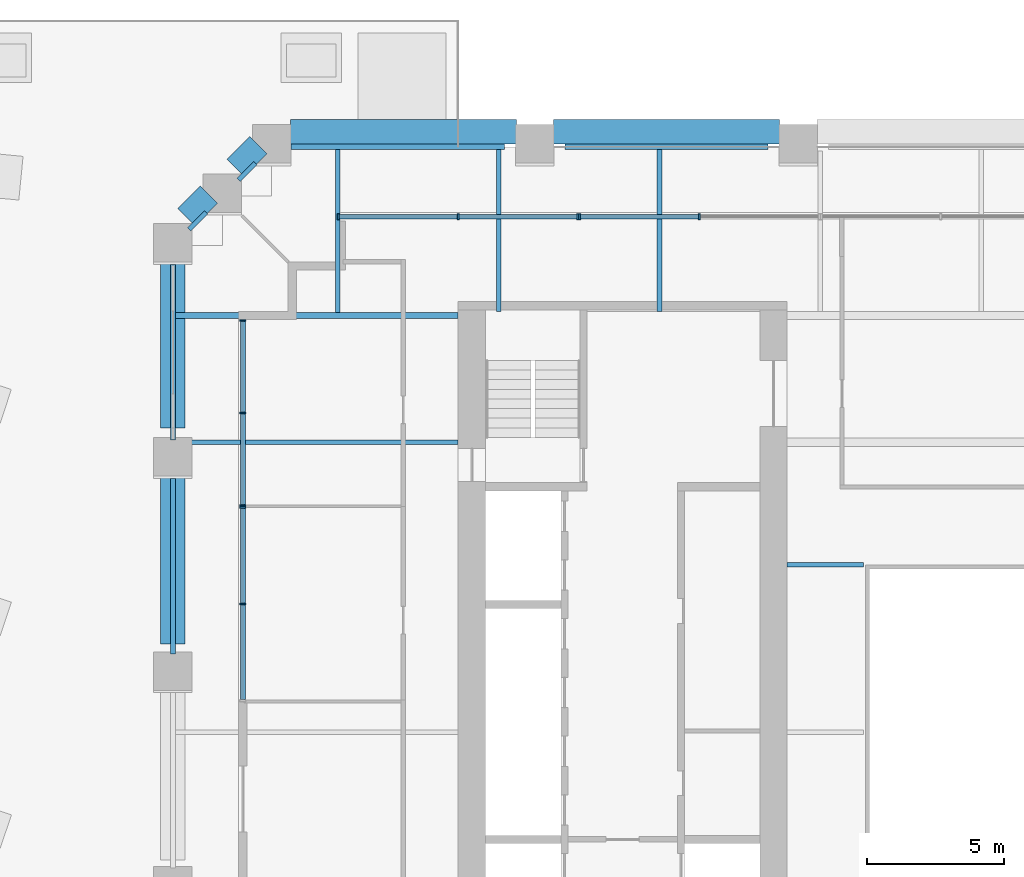
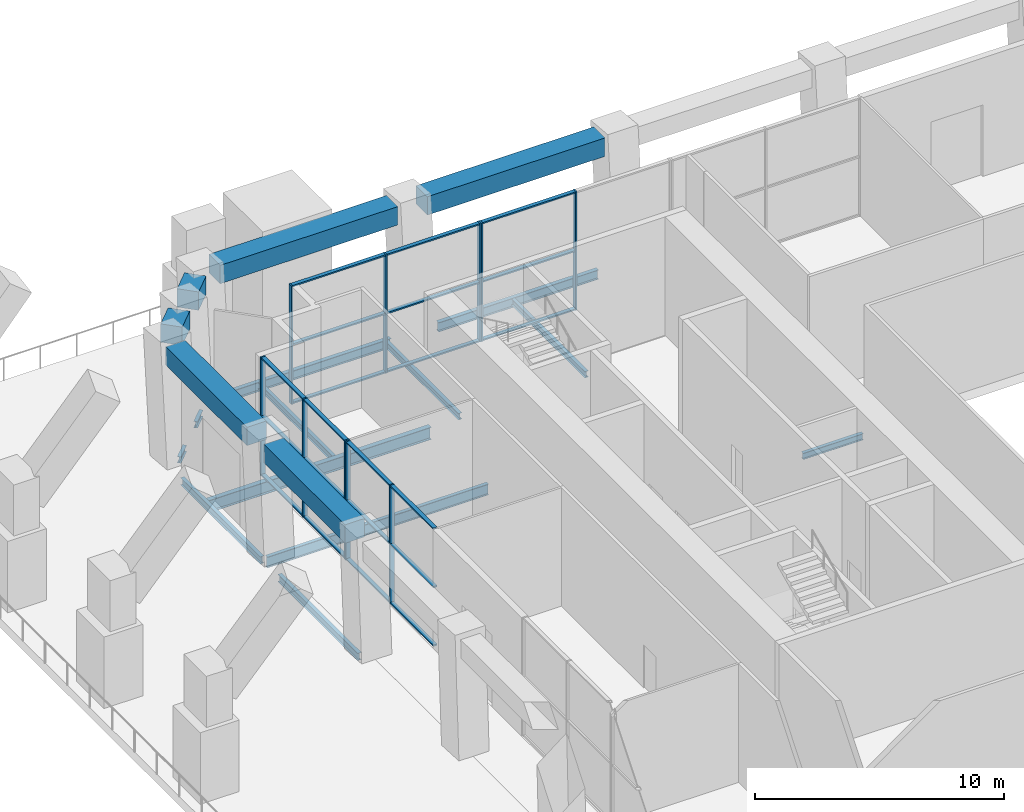
# One storey, part 7 of 20: 31 members, 18 beams, 4 elements without a shape of their own.
"""IFC4 building model written with IfcOpenShell, lengths in metres."""

from ifc_helpers import new_model, si_unit, direction, frame, origin, origin_2d, place, context, subcontext, project, spatial, rectangle, i_section, extrude, material, material_profile, profile_set, type_object, element, aggregate, save


model = new_model("IFC4")

# Units and contexts
model_context = context("Model", 3, precision=1e-05, world=origin(), true_north=direction((0.0, 1.0)))
body_context = subcontext(model_context, "Body", "Model", "MODEL_VIEW")
ifc_project = project(units=[si_unit("LENGTHUNIT", "METRE"), si_unit("AREAUNIT", "SQUARE_METRE"), si_unit("VOLUMEUNIT", "CUBIC_METRE"), si_unit("PLANEANGLEUNIT", "RADIAN"), si_unit("MASSUNIT", "GRAM", prefix="KILO")], contexts=[model_context])

# Site, building, storey
site_placement = place(None, origin())
site = spatial("IfcSite", under=ifc_project, at=site_placement, CompositionType="ELEMENT")
building_placement = place(site_placement, origin())
building = spatial("IfcBuilding", under=site, at=building_placement, Name="Ogive Exchange Tower", CompositionType="ELEMENT")
storey_placement = place(building_placement, frame((0.0, 0.0, 33.60009765625)))
storey = spatial("IfcBuildingStorey", under=building, at=storey_placement, Name="L06", CompositionType="ELEMENT", Elevation=33.60009765625)

# Beams
ifc_material_1 = material(Name="Steel ASTM A992 Gr50", Category="steel")
ifc_material_profile_1 = material_profile(ifc_material_1, i_section(OverallWidth=0.1650390625, OverallDepth=0.31005859375, WebThickness=0.005859375, FlangeThickness=0.009765625, at=origin_2d()), Name="W310x38.7")
ifc_profile_set_1 = profile_set([ifc_material_profile_1], Name="Steel ASTM A992 Gr50")
beam_type_1 = type_object("IfcBeamType", Name="Floor beam W310x38.7", PredefinedType="JOIST", material=ifc_profile_set_1)
beam_1_placement = place(storey_placement, frame((-26.38232421875, 25.35888671875, -0.60498046875), z_axis=(0.0, 1.0, 0.0), x_axis=(-1.0, 0.0, 0.0)))
element("IfcBeam", 1, at=beam_1_placement, inside=storey, type_object=beam_type_1, Name="Floor beam", PredefinedType="JOIST", context=body_context, shape_type="SweptSolid", body=[
    extrude(i_section(OverallWidth=0.1650390625, OverallDepth=0.31005859375, WebThickness=0.005859375, FlangeThickness=0.009765625, at=origin_2d()), origin(), (0.0, 0.0, 1.0), 5.945556640625),
])
for number, where, z_axis, x_axis, name in (
    (2, (-20.51953125, 25.39990234375, -0.60498046875), (0.0, 1.0, 0.0), (-1.0, 0.0, 0.0), "Floor beam"),
    (3, (-14.65673828125, 25.39990234375, -0.60498046875), (0.0, 1.0, 0.0), (-1.0, 0.0, 0.0), "Floor beam"),
):
    element("IfcBeam", number, at=place(storey_placement, frame(where, z_axis=z_axis, x_axis=x_axis)), inside=storey, type_object=beam_type_1, Name=name, PredefinedType="JOIST", context=body_context, shape_type="SweptSolid", body=[
        extrude(i_section(OverallWidth=0.1650390625, OverallDepth=0.31005859375, WebThickness=0.005859375, FlangeThickness=0.009765625, at=origin_2d()), origin(), (0.0, 0.0, 1.0), 5.904541015625),
    ])
ifc_material_profile_2 = material_profile(ifc_material_1, i_section(OverallWidth=0.1669921875, OverallDepth=0.535888671875, WebThickness=0.01025390625, FlangeThickness=0.0166015625, at=origin_2d()), Name="W530x85")
ifc_profile_set_2 = profile_set([ifc_material_profile_2], Name="Steel ASTM A992 Gr50")
beam_type_2 = type_object("IfcBeamType", Name="Floor beam W530x85", PredefinedType="JOIST", material=ifc_profile_set_2)
beam_2_placement = place(storey_placement, frame((-32.2451171875, 20.62255859375, -0.718017578125), z_axis=(1.0, 0.0, 0.0), x_axis=(0.0, 1.0, 0.0)))
element("IfcBeam", 4, at=beam_2_placement, inside=storey, type_object=beam_type_2, Name="Floor beam", PredefinedType="JOIST", context=body_context, shape_type="SweptSolid", body=[
    extrude(i_section(OverallWidth=0.1669921875, OverallDepth=0.535888671875, WebThickness=0.01025390625, FlangeThickness=0.0166015625, at=origin_2d()), origin(), (0.0, 0.0, 1.0), 10.2451171875),
])
ifc_material_profile_3 = material_profile(ifc_material_1, i_section(OverallWidth=0.1650390625, OverallDepth=0.31005859375, WebThickness=0.005859375, FlangeThickness=0.009765625, at=origin_2d()), Name="W310x38.7")
ifc_profile_set_3 = profile_set([ifc_material_profile_3], Name="Steel ASTM A992 Gr50")
beam_type_3 = type_object("IfcBeamType", Name="Girder W310x38.7", PredefinedType="BEAM", material=ifc_profile_set_3)
for number, where, z_axis, x_axis, name in (
    (5, (-29.39404296875, 30.805908203125, -0.60498046875), (-0.707247821729, -0.706965712506, 0.0), (0.706965712506, -0.707247821729, 0.0), "Girder"),
    (6, (-31.194091796875, 29.006103515625, -0.60498046875), (-0.706965712506, -0.707247821729, 0.0), (0.707247821729, -0.706965712506, 0.0), "Girder"),
):
    element("IfcBeam", number, at=place(storey_placement, frame(where, z_axis=z_axis, x_axis=x_axis)), inside=storey, type_object=beam_type_3, Name=name, PredefinedType="BEAM", context=body_context, shape_type="SweptSolid", body=[
        extrude(i_section(OverallWidth=0.1650390625, OverallDepth=0.31005859375, WebThickness=0.005859375, FlangeThickness=0.009765625, at=origin_2d()), origin(), (0.0, 0.0, 1.0), 0.865478515625),
    ])
beam_3_placement = place(storey_placement, frame((-10.0, 16.155029296875, -0.60498046875), z_axis=(1.0, 0.0, 0.0), x_axis=(0.0, 1.0, 0.0)))
element("IfcBeam", 7, at=beam_3_placement, inside=storey, type_object=beam_type_3, Name="Trimmer girder", PredefinedType="BEAM", context=body_context, shape_type="SweptSolid", body=[
    extrude(i_section(OverallWidth=0.1650390625, OverallDepth=0.31005859375, WebThickness=0.005859375, FlangeThickness=0.009765625, at=origin_2d()), origin(), (0.0, 0.0, 1.0), 2.780029296875),
])
ifc_material_profile_4 = material_profile(ifc_material_1, i_section(OverallWidth=0.1708984375, OverallDepth=0.35595703125, WebThickness=0.00732421875, FlangeThickness=0.01171875, at=origin_2d()), Name="W360x51")
ifc_profile_set_4 = profile_set([ifc_material_profile_4], Name="Steel ASTM A992 Gr50")
beam_type_4 = type_object("IfcBeamType", Name="Girder W360x51", PredefinedType="BEAM", material=ifc_profile_set_4)
for number, where, z_axis, x_axis, name in (
    (8, (-32.39990234375, 27.10009765625, -0.628173828125), (0.0, -1.0, 0.0), (1.0, 0.0, 0.0), "Girder"),
    (9, (-32.39990234375, 19.300048828125, -0.628173828125), (0.0, -1.0, 0.0), (1.0, 0.0, 0.0), "Girder"),
):
    element("IfcBeam", number, at=place(storey_placement, frame(where, z_axis=z_axis, x_axis=x_axis)), inside=storey, type_object=beam_type_4, Name=name, PredefinedType="BEAM", context=body_context, shape_type="SweptSolid", body=[
        extrude(i_section(OverallWidth=0.1708984375, OverallDepth=0.35595703125, WebThickness=0.00732421875, FlangeThickness=0.01171875, at=origin_2d()), origin(), (0.0, 0.0, 1.0), 6.400146484375),
    ])
ifc_material_profile_5 = material_profile(ifc_material_1, i_section(OverallWidth=0.19091796875, OverallDepth=0.45703125, WebThickness=0.009033203125, FlangeThickness=0.014404296875, at=origin_2d()), Name="W460x74")
ifc_profile_set_5 = profile_set([ifc_material_profile_5], Name="Steel ASTM A992 Gr50")
beam_type_5 = type_object("IfcBeamType", Name="Girder W460x74", PredefinedType="BEAM", material=ifc_profile_set_5)
beam_4_placement = place(storey_placement, frame((-10.699951171875, 31.39990234375, -0.6787109375), z_axis=(-1.0, 0.0, 0.0), x_axis=(0.0, -1.0, 0.0)))
element("IfcBeam", 10, at=beam_4_placement, inside=storey, type_object=beam_type_5, Name="Girder", PredefinedType="BEAM", context=body_context, shape_type="SweptSolid", body=[
    extrude(i_section(OverallWidth=0.19091796875, OverallDepth=0.45703125, WebThickness=0.009033203125, FlangeThickness=0.014404296875, at=origin_2d()), origin(), (0.0, 0.0, 1.0), 7.400146484375),
])
beam_5_placement = place(storey_placement, frame((-20.300048828125, 31.39990234375, -0.6787109375), z_axis=(-1.0, 0.0, 0.0), x_axis=(0.0, -1.0, 0.0)))
element("IfcBeam", 11, at=beam_5_placement, inside=storey, type_object=beam_type_5, Name="Girder", PredefinedType="BEAM", context=body_context, shape_type="SweptSolid", body=[
    extrude(i_section(OverallWidth=0.19091796875, OverallDepth=0.45703125, WebThickness=0.009033203125, FlangeThickness=0.014404296875, at=origin_2d()), origin(), (0.0, 0.0, 1.0), 7.800048828125),
])
ifc_material_profile_6 = material_profile(ifc_material_1, i_section(OverallWidth=0.22802734375, OverallDepth=0.60205078125, WebThickness=0.010498046875, FlangeThickness=0.014892578125, at=origin_2d()), Name="W610x101")
ifc_profile_set_6 = profile_set([ifc_material_profile_6], Name="Steel ASTM A992 Gr50")
beam_type_6 = type_object("IfcBeamType", Name="Girder W610x101", PredefinedType="BEAM", material=ifc_profile_set_6)
beam_6_placement = place(storey_placement, frame((-32.314453125, 25.2451171875, -0.7509765625), z_axis=(1.0, 0.0, 0.0), x_axis=(0.0, 1.0, 0.0)))
element("IfcBeam", 12, at=beam_6_placement, inside=storey, type_object=beam_type_6, Name="Header girder", PredefinedType="BEAM", context=body_context, shape_type="SweptSolid", body=[
    extrude(i_section(OverallWidth=0.22802734375, OverallDepth=0.60205078125, WebThickness=0.010498046875, FlangeThickness=0.014892578125, at=origin_2d()), origin(), (0.0, 0.0, 1.0), 10.314453125),
])
ifc_material_2 = material(Name="Precast concrete C70/85 (limestone faced)", Category="masonry")
ifc_material_profile_7 = material_profile(ifc_material_2, rectangle(XDim=0.89990234375, YDim=0.89990234375, at=origin_2d()), Name="900 x 900")
ifc_profile_set_7 = profile_set([ifc_material_profile_7], Name="Precast concrete C70/85 (limestone faced)")
beam_type_7 = type_object("IfcBeamType", Name="Precast spandrel 900 x 900 C70/85", PredefinedType="SPANDREL", material=ifc_profile_set_7)
beam_7_placement = place(storey_placement, frame((-10.280029296875, 31.945556640625, 5.2998046875), z_axis=(-1.0, 0.0, 0.0), x_axis=(0.0, -1.0, 0.0)))
element("IfcBeam", 13, at=beam_7_placement, inside=storey, type_object=beam_type_7, Name="Spandrel 22", PredefinedType="SPANDREL", context=body_context, shape_type="SweptSolid", body=[
    extrude(rectangle(XDim=0.89990234375, YDim=0.89990234375, at=origin_2d()), origin(), (0.0, 0.0, 1.0), 8.239990234375),
])
beam_8_placement = place(storey_placement, frame((-19.8798828125, 31.945556640625, 5.2998046875), z_axis=(-1.0, 0.0, 0.0), x_axis=(0.0, -1.0, 0.0)))
element("IfcBeam", 14, at=beam_8_placement, inside=storey, type_object=beam_type_7, Name="Spandrel 23", PredefinedType="SPANDREL", context=body_context, shape_type="SweptSolid", body=[
    extrude(rectangle(XDim=0.89990234375, YDim=0.89990234375, at=origin_2d()), origin(), (0.0, 0.0, 1.0), 8.240234375),
])
beam_9_placement = place(storey_placement, frame((-29.287841796875, 31.45751953125, 5.2998046875), z_axis=(-0.707106781187, -0.707106781187, 0.0), x_axis=(0.707106781187, -0.707106781187, 0.0)))
element("IfcBeam", 15, at=beam_9_placement, inside=storey, type_object=beam_type_7, Name="Spandrel 24", PredefinedType="SPANDREL", context=body_context, shape_type="SweptSolid", body=[
    extrude(rectangle(XDim=0.89990234375, YDim=0.89990234375, at=origin_2d()), origin(), (0.0, 0.0, 1.0), 1.16552734375),
])
beam_10_placement = place(storey_placement, frame((-31.087890625, 29.65771484375, 5.2998046875), z_axis=(-0.707002063412, -0.707211483455, 0.0), x_axis=(0.707211483455, -0.707002063412, 0.0)))
element("IfcBeam", 16, at=beam_10_placement, inside=storey, type_object=beam_type_7, Name="Spandrel 25", PredefinedType="SPANDREL", context=body_context, shape_type="SweptSolid", body=[
    extrude(rectangle(XDim=0.89990234375, YDim=0.89990234375, at=origin_2d()), origin(), (0.0, 0.0, 1.0), 1.165771484375),
])
for number, where, z_axis, x_axis, name in (
    (17, (-32.39990234375, 27.66552734375, 5.2998046875), (0.0, -1.0, 0.0), (1.0, 0.0, 0.0), "Spandrel 26"),
    (18, (-32.39990234375, 19.78759765625, 5.2998046875), (0.0, -1.0, 0.0), (1.0, 0.0, 0.0), "Spandrel 27"),
):
    element("IfcBeam", number, at=place(storey_placement, frame(where, z_axis=z_axis, x_axis=x_axis)), inside=storey, type_object=beam_type_7, Name=name, PredefinedType="SPANDREL", context=body_context, shape_type="SweptSolid", body=[
        extrude(rectangle(XDim=0.89990234375, YDim=0.89990234375, at=origin_2d()), origin(), (0.0, 0.0, 1.0), 6.51806640625),
    ])

# Curtain wall, members
ifc_material_3 = material(Name="Anodised aluminium and clear glass", Category="aluminium")
curtain_wall_type = type_object("IfcCurtainWallType", Name="Sky lobby glazing", PredefinedType="NOTDEFINED", material=ifc_material_3)
curtain_wall_1_placement = place(storey_placement, origin())
curtain_wall_1 = element("IfcCurtainWall", 19, at=curtain_wall_1_placement, inside=storey, type_object=curtain_wall_type, Name="Sky lobby glazing run G18", PredefinedType="NOTDEFINED")
ifc_material_4 = material(Name="Anodised aluminium", Category="aluminium")
ifc_material_profile_8 = material_profile(ifc_material_4, rectangle(XDim=0.219970703125, YDim=0.070068359375, at=origin_2d()), Name="AL 70x220")
ifc_profile_set_8 = profile_set([ifc_material_profile_8], Name="Anodised aluminium")
member_type_1 = type_object("IfcMemberType", Name="Sky lobby glazing mullion 70 x 220", PredefinedType="MULLION", material=ifc_profile_set_8)
member_1_placement = place(storey_placement, frame((-13.199951171875, 28.85009765625, 0.0), z_axis=(0.0, 0.0, 1.0), x_axis=(0.0, -1.0, 0.0)))
member_1 = element("IfcMember", 20, at=member_1_placement, type_object=member_type_1, Name="G18 mullion 2", PredefinedType="MULLION", context=body_context, shape_type="SweptSolid", body=[
    extrude(rectangle(XDim=0.219970703125, YDim=0.070068359375, at=origin_2d()), origin(), (0.0, 0.0, 1.0), 5.7998046875),
])
member_2_placement = place(storey_placement, frame((-17.56494140625, 28.85009765625, 0.0), z_axis=(0.0, 0.0, 1.0), x_axis=(0.0, -1.0, 0.0)))
member_2 = element("IfcMember", 21, at=member_2_placement, type_object=member_type_1, Name="G18 mullion 3", PredefinedType="MULLION", context=body_context, shape_type="SweptSolid", body=[
    extrude(rectangle(XDim=0.219970703125, YDim=0.070068359375, at=origin_2d()), origin(), (0.0, 0.0, 1.0), 5.7998046875),
])

curtain_wall_2_placement = place(storey_placement, origin())
curtain_wall_2 = element("IfcCurtainWall", 22, at=curtain_wall_2_placement, inside=storey, type_object=curtain_wall_type, Name="Sky lobby glazing run G19", PredefinedType="NOTDEFINED")
member_3_placement = place(storey_placement, frame((-17.635009765625, 28.85009765625, 0.0), z_axis=(0.0, 0.0, 1.0), x_axis=(0.0, -1.0, 0.0)))
member_3 = element("IfcMember", 23, at=member_3_placement, type_object=member_type_1, Name="G19 mullion 1", PredefinedType="MULLION", context=body_context, shape_type="SweptSolid", body=[
    extrude(rectangle(XDim=0.219970703125, YDim=0.070068359375, at=origin_2d()), origin(), (0.0, 0.0, 1.0), 5.7998046875),
])
member_4_placement = place(storey_placement, frame((-22.0, 28.85009765625, 0.0), z_axis=(0.0, 0.0, 1.0), x_axis=(0.0, -1.0, 0.0)))
member_4 = element("IfcMember", 24, at=member_4_placement, type_object=member_type_1, Name="G19 mullion 2", PredefinedType="MULLION", context=body_context, shape_type="SweptSolid", body=[
    extrude(rectangle(XDim=0.219970703125, YDim=0.070068359375, at=origin_2d()), origin(), (0.0, 0.0, 1.0), 5.7998046875),
])
member_5_placement = place(storey_placement, frame((-26.364990234375, 28.85009765625, 0.0), z_axis=(0.0, 0.0, 1.0), x_axis=(0.0, -1.0, 0.0)))
member_5 = element("IfcMember", 25, at=member_5_placement, type_object=member_type_1, Name="G19 mullion 3", PredefinedType="MULLION", context=body_context, shape_type="SweptSolid", body=[
    extrude(rectangle(XDim=0.219970703125, YDim=0.070068359375, at=origin_2d()), origin(), (0.0, 0.0, 1.0), 5.7998046875),
])

curtain_wall_3_placement = place(storey_placement, origin())
curtain_wall_3 = element("IfcCurtainWall", 26, at=curtain_wall_3_placement, inside=storey, type_object=curtain_wall_type, Name="Sky lobby glazing run G20", PredefinedType="NOTDEFINED")
member_6_placement = place(storey_placement, frame((-29.85009765625, 25.06494140625, 0.0), z_axis=(0.0, 0.0, 1.0), x_axis=(1.0, 0.0, 0.0)))
member_6 = element("IfcMember", 27, at=member_6_placement, type_object=member_type_1, Name="G20 mullion 1", PredefinedType="MULLION", context=body_context, shape_type="SweptSolid", body=[
    extrude(rectangle(XDim=0.219970703125, YDim=0.070068359375, at=origin_2d()), origin(), (0.0, 0.0, 1.0), 5.7998046875),
])
member_7_placement = place(storey_placement, frame((-29.85009765625, 21.69287109375, 0.0), z_axis=(0.0, 0.0, 1.0), x_axis=(1.0, 0.0, 0.0)))
member_7 = element("IfcMember", 28, at=member_7_placement, type_object=member_type_1, Name="G20 mullion 2", PredefinedType="MULLION", context=body_context, shape_type="SweptSolid", body=[
    extrude(rectangle(XDim=0.219970703125, YDim=0.070068359375, at=origin_2d()), origin(), (0.0, 0.0, 1.0), 5.7998046875),
])
member_8_placement = place(storey_placement, frame((-29.85009765625, 18.32080078125, 0.0), z_axis=(0.0, 0.0, 1.0), x_axis=(1.0, 0.0, 0.0)))
member_8 = element("IfcMember", 29, at=member_8_placement, type_object=member_type_1, Name="G20 mullion 3", PredefinedType="MULLION", context=body_context, shape_type="SweptSolid", body=[
    extrude(rectangle(XDim=0.219970703125, YDim=0.070068359375, at=origin_2d()), origin(), (0.0, 0.0, 1.0), 5.7998046875),
])

curtain_wall_4_placement = place(storey_placement, origin())
curtain_wall_4 = element("IfcCurtainWall", 30, at=curtain_wall_4_placement, inside=storey, type_object=curtain_wall_type, Name="Sky lobby glazing run G21", PredefinedType="NOTDEFINED")
member_9_placement = place(storey_placement, frame((-29.85009765625, 18.250732421875, 0.0), z_axis=(0.0, 0.0, 1.0), x_axis=(1.0, 0.0, 0.0)))
member_9 = element("IfcMember", 31, at=member_9_placement, type_object=member_type_1, Name="G21 mullion 1", PredefinedType="MULLION", context=body_context, shape_type="SweptSolid", body=[
    extrude(rectangle(XDim=0.219970703125, YDim=0.070068359375, at=origin_2d()), origin(), (0.0, 0.0, 1.0), 5.7998046875),
])
member_10_placement = place(storey_placement, frame((-29.85009765625, 14.728515625, 0.0), z_axis=(0.0, 0.0, 1.0), x_axis=(1.0, 0.0, 0.0)))
member_10 = element("IfcMember", 32, at=member_10_placement, type_object=member_type_1, Name="G21 mullion 2", PredefinedType="MULLION", context=body_context, shape_type="SweptSolid", body=[
    extrude(rectangle(XDim=0.219970703125, YDim=0.070068359375, at=origin_2d()), origin(), (0.0, 0.0, 1.0), 5.7998046875),
])

# Member
ifc_material_profile_9 = material_profile(ifc_material_4, rectangle(XDim=0.179931640625, YDim=0.070068359375, at=origin_2d()), Name="AL 70x180")
ifc_profile_set_9 = profile_set([ifc_material_profile_9], Name="Anodised aluminium")
member_type_2 = type_object("IfcMemberType", Name="Sky lobby glazing transom 70 x 180", PredefinedType="USERDEFINED", material=ifc_profile_set_9)
member_11_placement = place(storey_placement, frame((-13.235107421875, 28.85009765625, 0.034912109375), z_axis=(-1.0, 0.0, 0.0), x_axis=(0.0, -1.0, 0.0)))
member_11 = element("IfcMember", 33, at=member_11_placement, type_object=member_type_2, Name="G18 transom 2.1", ObjectType="TRANSOM", PredefinedType="USERDEFINED", context=body_context, shape_type="SweptSolid", body=[
    extrude(rectangle(XDim=0.179931640625, YDim=0.070068359375, at=origin_2d()), origin(), (0.0, 0.0, 1.0), 4.294921875),
])

member_12_placement = place(storey_placement, frame((-13.235107421875, 28.85009765625, 2.89990234375), z_axis=(-1.0, 0.0, 0.0), x_axis=(0.0, -1.0, 0.0)))
member_12 = element("IfcMember", 34, at=member_12_placement, type_object=member_type_2, Name="G18 transom 2.2", ObjectType="TRANSOM", PredefinedType="USERDEFINED", context=body_context, shape_type="SweptSolid", body=[
    extrude(rectangle(XDim=0.179931640625, YDim=0.070068359375, at=origin_2d()), origin(), (0.0, 0.0, 1.0), 4.294921875),
])

member_13_placement = place(storey_placement, frame((-13.235107421875, 28.85009765625, 5.764892578125), z_axis=(-1.0, 0.0, 0.0), x_axis=(0.0, -1.0, 0.0)))
member_13 = element("IfcMember", 35, at=member_13_placement, type_object=member_type_2, Name="G18 transom 2.3", ObjectType="TRANSOM", PredefinedType="USERDEFINED", context=body_context, shape_type="SweptSolid", body=[
    extrude(rectangle(XDim=0.179931640625, YDim=0.070068359375, at=origin_2d()), origin(), (0.0, 0.0, 1.0), 4.294921875),
])

aggregate(curtain_wall_1, [member_1, member_2, member_11, member_12, member_13])

member_14_placement = place(storey_placement, frame((-17.669921875, 28.85009765625, 0.034912109375), z_axis=(-1.0, 0.0, 0.0), x_axis=(0.0, -1.0, 0.0)))
member_14 = element("IfcMember", 36, at=member_14_placement, type_object=member_type_2, Name="G19 transom 1.1", ObjectType="TRANSOM", PredefinedType="USERDEFINED", context=body_context, shape_type="SweptSolid", body=[
    extrude(rectangle(XDim=0.179931640625, YDim=0.070068359375, at=origin_2d()), origin(), (0.0, 0.0, 1.0), 4.295166015625),
])

member_15_placement = place(storey_placement, frame((-17.669921875, 28.85009765625, 2.89990234375), z_axis=(-1.0, 0.0, 0.0), x_axis=(0.0, -1.0, 0.0)))
member_15 = element("IfcMember", 37, at=member_15_placement, type_object=member_type_2, Name="G19 transom 1.2", ObjectType="TRANSOM", PredefinedType="USERDEFINED", context=body_context, shape_type="SweptSolid", body=[
    extrude(rectangle(XDim=0.179931640625, YDim=0.070068359375, at=origin_2d()), origin(), (0.0, 0.0, 1.0), 4.295166015625),
])

member_16_placement = place(storey_placement, frame((-17.669921875, 28.85009765625, 5.764892578125), z_axis=(-1.0, 0.0, 0.0), x_axis=(0.0, -1.0, 0.0)))
member_16 = element("IfcMember", 38, at=member_16_placement, type_object=member_type_2, Name="G19 transom 1.3", ObjectType="TRANSOM", PredefinedType="USERDEFINED", context=body_context, shape_type="SweptSolid", body=[
    extrude(rectangle(XDim=0.179931640625, YDim=0.070068359375, at=origin_2d()), origin(), (0.0, 0.0, 1.0), 4.295166015625),
])

member_17_placement = place(storey_placement, frame((-22.034912109375, 28.85009765625, 0.034912109375), z_axis=(-1.0, 0.0, 0.0), x_axis=(0.0, -1.0, 0.0)))
member_17 = element("IfcMember", 39, at=member_17_placement, type_object=member_type_2, Name="G19 transom 2.1", ObjectType="TRANSOM", PredefinedType="USERDEFINED", context=body_context, shape_type="SweptSolid", body=[
    extrude(rectangle(XDim=0.179931640625, YDim=0.070068359375, at=origin_2d()), origin(), (0.0, 0.0, 1.0), 4.295166015625),
])

member_18_placement = place(storey_placement, frame((-22.034912109375, 28.85009765625, 2.89990234375), z_axis=(-1.0, 0.0, 0.0), x_axis=(0.0, -1.0, 0.0)))
member_18 = element("IfcMember", 40, at=member_18_placement, type_object=member_type_2, Name="G19 transom 2.2", ObjectType="TRANSOM", PredefinedType="USERDEFINED", context=body_context, shape_type="SweptSolid", body=[
    extrude(rectangle(XDim=0.179931640625, YDim=0.070068359375, at=origin_2d()), origin(), (0.0, 0.0, 1.0), 4.295166015625),
])

member_19_placement = place(storey_placement, frame((-22.034912109375, 28.85009765625, 5.764892578125), z_axis=(-1.0, 0.0, 0.0), x_axis=(0.0, -1.0, 0.0)))
member_19 = element("IfcMember", 41, at=member_19_placement, type_object=member_type_2, Name="G19 transom 2.3", ObjectType="TRANSOM", PredefinedType="USERDEFINED", context=body_context, shape_type="SweptSolid", body=[
    extrude(rectangle(XDim=0.179931640625, YDim=0.070068359375, at=origin_2d()), origin(), (0.0, 0.0, 1.0), 4.295166015625),
])

aggregate(curtain_wall_2, [member_3, member_4, member_5, member_14, member_15, member_16, member_17, member_18, member_19])

member_20_placement = place(storey_placement, frame((-29.85009765625, 25.030029296875, 0.034912109375), z_axis=(0.0, -1.0, 0.0), x_axis=(1.0, 0.0, 0.0)))
member_20 = element("IfcMember", 42, at=member_20_placement, type_object=member_type_2, Name="G20 transom 1.1", ObjectType="TRANSOM", PredefinedType="USERDEFINED", context=body_context, shape_type="SweptSolid", body=[
    extrude(rectangle(XDim=0.179931640625, YDim=0.070068359375, at=origin_2d()), origin(), (0.0, 0.0, 1.0), 3.30224609375),
])

member_21_placement = place(storey_placement, frame((-29.85009765625, 25.030029296875, 2.89990234375), z_axis=(0.0, -1.0, 0.0), x_axis=(1.0, 0.0, 0.0)))
member_21 = element("IfcMember", 43, at=member_21_placement, type_object=member_type_2, Name="G20 transom 1.2", ObjectType="TRANSOM", PredefinedType="USERDEFINED", context=body_context, shape_type="SweptSolid", body=[
    extrude(rectangle(XDim=0.179931640625, YDim=0.070068359375, at=origin_2d()), origin(), (0.0, 0.0, 1.0), 3.30224609375),
])

member_22_placement = place(storey_placement, frame((-29.85009765625, 25.030029296875, 5.764892578125), z_axis=(0.0, -1.0, 0.0), x_axis=(1.0, 0.0, 0.0)))
member_22 = element("IfcMember", 44, at=member_22_placement, type_object=member_type_2, Name="G20 transom 1.3", ObjectType="TRANSOM", PredefinedType="USERDEFINED", context=body_context, shape_type="SweptSolid", body=[
    extrude(rectangle(XDim=0.179931640625, YDim=0.070068359375, at=origin_2d()), origin(), (0.0, 0.0, 1.0), 3.30224609375),
])

member_23_placement = place(storey_placement, frame((-29.85009765625, 21.657958984375, 0.034912109375), z_axis=(0.0, -1.0, 0.0), x_axis=(1.0, 0.0, 0.0)))
member_23 = element("IfcMember", 45, at=member_23_placement, type_object=member_type_2, Name="G20 transom 2.1", ObjectType="TRANSOM", PredefinedType="USERDEFINED", context=body_context, shape_type="SweptSolid", body=[
    extrude(rectangle(XDim=0.179931640625, YDim=0.070068359375, at=origin_2d()), origin(), (0.0, 0.0, 1.0), 3.30224609375),
])

member_24_placement = place(storey_placement, frame((-29.85009765625, 21.657958984375, 2.89990234375), z_axis=(0.0, -1.0, 0.0), x_axis=(1.0, 0.0, 0.0)))
member_24 = element("IfcMember", 46, at=member_24_placement, type_object=member_type_2, Name="G20 transom 2.2", ObjectType="TRANSOM", PredefinedType="USERDEFINED", context=body_context, shape_type="SweptSolid", body=[
    extrude(rectangle(XDim=0.179931640625, YDim=0.070068359375, at=origin_2d()), origin(), (0.0, 0.0, 1.0), 3.30224609375),
])

member_25_placement = place(storey_placement, frame((-29.85009765625, 21.657958984375, 5.764892578125), z_axis=(0.0, -1.0, 0.0), x_axis=(1.0, 0.0, 0.0)))
member_25 = element("IfcMember", 47, at=member_25_placement, type_object=member_type_2, Name="G20 transom 2.3", ObjectType="TRANSOM", PredefinedType="USERDEFINED", context=body_context, shape_type="SweptSolid", body=[
    extrude(rectangle(XDim=0.179931640625, YDim=0.070068359375, at=origin_2d()), origin(), (0.0, 0.0, 1.0), 3.30224609375),
])

aggregate(curtain_wall_3, [member_6, member_7, member_8, member_20, member_21, member_22, member_23, member_24, member_25])

member_26_placement = place(storey_placement, frame((-29.85009765625, 18.2158203125, 0.034912109375), z_axis=(0.0, -1.0, 0.0), x_axis=(1.0, 0.0, 0.0)))
member_26 = element("IfcMember", 48, at=member_26_placement, type_object=member_type_2, Name="G21 transom 1.1", ObjectType="TRANSOM", PredefinedType="USERDEFINED", context=body_context, shape_type="SweptSolid", body=[
    extrude(rectangle(XDim=0.179931640625, YDim=0.070068359375, at=origin_2d()), origin(), (0.0, 0.0, 1.0), 3.4521484375),
])

member_27_placement = place(storey_placement, frame((-29.85009765625, 18.2158203125, 2.89990234375), z_axis=(0.0, -1.0, 0.0), x_axis=(1.0, 0.0, 0.0)))
member_27 = element("IfcMember", 49, at=member_27_placement, type_object=member_type_2, Name="G21 transom 1.2", ObjectType="TRANSOM", PredefinedType="USERDEFINED", context=body_context, shape_type="SweptSolid", body=[
    extrude(rectangle(XDim=0.179931640625, YDim=0.070068359375, at=origin_2d()), origin(), (0.0, 0.0, 1.0), 3.4521484375),
])

member_28_placement = place(storey_placement, frame((-29.85009765625, 18.2158203125, 5.764892578125), z_axis=(0.0, -1.0, 0.0), x_axis=(1.0, 0.0, 0.0)))
member_28 = element("IfcMember", 50, at=member_28_placement, type_object=member_type_2, Name="G21 transom 1.3", ObjectType="TRANSOM", PredefinedType="USERDEFINED", context=body_context, shape_type="SweptSolid", body=[
    extrude(rectangle(XDim=0.179931640625, YDim=0.070068359375, at=origin_2d()), origin(), (0.0, 0.0, 1.0), 3.4521484375),
])

member_29_placement = place(storey_placement, frame((-29.85009765625, 14.693603515625, 0.034912109375), z_axis=(0.0, -1.0, 0.0), x_axis=(1.0, 0.0, 0.0)))
member_29 = element("IfcMember", 51, at=member_29_placement, type_object=member_type_2, Name="G21 transom 2.1", ObjectType="TRANSOM", PredefinedType="USERDEFINED", context=body_context, shape_type="SweptSolid", body=[
    extrude(rectangle(XDim=0.179931640625, YDim=0.070068359375, at=origin_2d()), origin(), (0.0, 0.0, 1.0), 3.4521484375),
])

member_30_placement = place(storey_placement, frame((-29.85009765625, 14.693603515625, 2.89990234375), z_axis=(0.0, -1.0, 0.0), x_axis=(1.0, 0.0, 0.0)))
member_30 = element("IfcMember", 52, at=member_30_placement, type_object=member_type_2, Name="G21 transom 2.2", ObjectType="TRANSOM", PredefinedType="USERDEFINED", context=body_context, shape_type="SweptSolid", body=[
    extrude(rectangle(XDim=0.179931640625, YDim=0.070068359375, at=origin_2d()), origin(), (0.0, 0.0, 1.0), 3.4521484375),
])

member_31_placement = place(storey_placement, frame((-29.85009765625, 14.693603515625, 5.764892578125), z_axis=(0.0, -1.0, 0.0), x_axis=(1.0, 0.0, 0.0)))
member_31 = element("IfcMember", 53, at=member_31_placement, type_object=member_type_2, Name="G21 transom 2.3", ObjectType="TRANSOM", PredefinedType="USERDEFINED", context=body_context, shape_type="SweptSolid", body=[
    extrude(rectangle(XDim=0.179931640625, YDim=0.070068359375, at=origin_2d()), origin(), (0.0, 0.0, 1.0), 3.4521484375),
])

aggregate(curtain_wall_4, [member_9, member_10, member_26, member_27, member_28, member_29, member_30, member_31])

save(model, "model.ifc")
